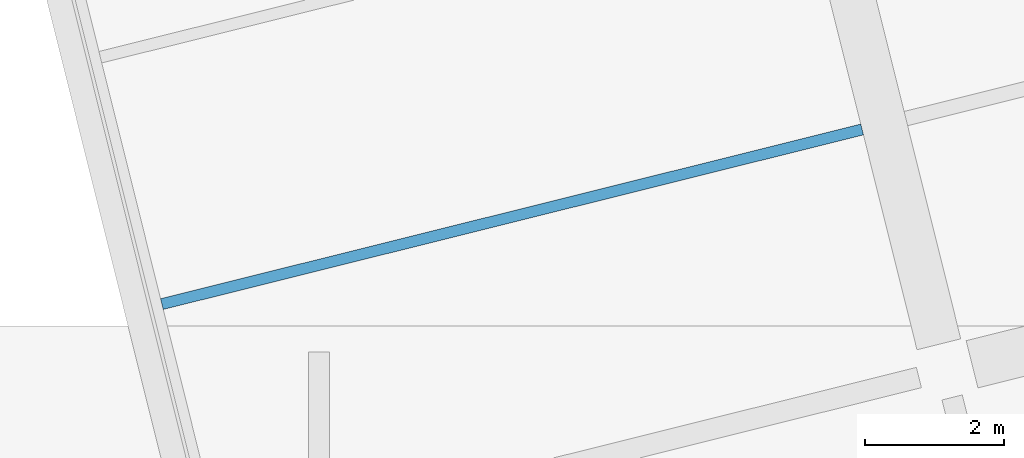
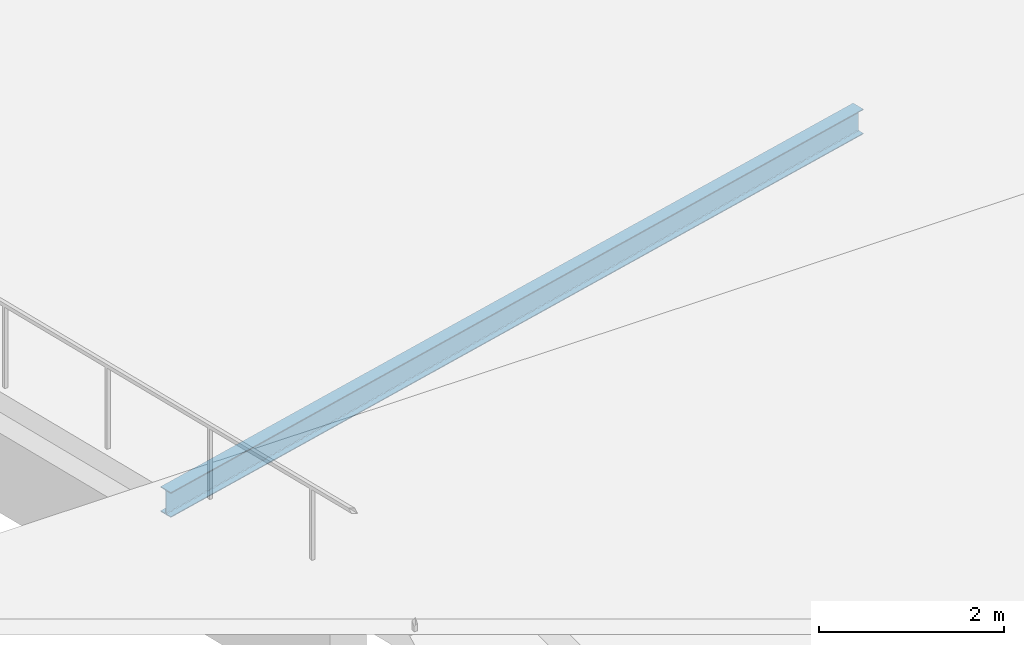
# One storey, part 71 of 137: 1 beam.
"""IFC4 building model written with IfcOpenShell, lengths in metres."""

from ifc_helpers import new_model, si_unit, direction, frame, origin, origin_2d, place, context, subcontext, project, spatial, i_section, extrude, material, material_profile, profile_set, type_object, element, save


model = new_model("IFC4")

# Units and contexts
model_context = context("Model", 3, precision=1e-05, world=origin(), true_north=direction((0.0, 1.0)))
body_context = subcontext(model_context, "Body", "Model", "MODEL_VIEW")
ifc_project = project(units=[si_unit("LENGTHUNIT", "METRE"), si_unit("AREAUNIT", "SQUARE_METRE"), si_unit("VOLUMEUNIT", "CUBIC_METRE"), si_unit("PLANEANGLEUNIT", "RADIAN"), si_unit("MASSUNIT", "GRAM", prefix="KILO")], contexts=[model_context])

# Site, building, storey
site_placement = place(None, origin())
site = spatial("IfcSite", under=ifc_project, at=site_placement, CompositionType="ELEMENT")
building_placement = place(site_placement, origin())
building = spatial("IfcBuilding", under=site, at=building_placement, Name="Khorjan Park Terminus", CompositionType="ELEMENT")
storey_placement = place(building_placement, frame((0.0, 0.0, 11.4)))
storey = spatial("IfcBuildingStorey", under=building, at=storey_placement, Name="L02", CompositionType="ELEMENT", Elevation=11.4)

# Beam
ifc_material = material(Name="Steel S355", Category="steel")
ifc_material_profile = material_profile(ifc_material, i_section(OverallWidth=0.16, OverallDepth=0.33, WebThickness=0.0075, FlangeThickness=0.0115, FilletRadius=0.018, at=origin_2d()), Name="IPE 330")
ifc_profile_set = profile_set([ifc_material_profile], Name="Steel S355")
beam_type = type_object("IfcBeamType", Name="JS-IPE330", PredefinedType="JOIST", material=ifc_profile_set)
beam_placement = place(storey_placement, frame((154.7352, 48.3173, -0.435), z_axis=(0.970295586552, 0.241922456002, 0.0), x_axis=(-0.241922456002, 0.970295586552, 0.0)))
element("IfcBeam", 1, at=beam_placement, inside=storey, type_object=beam_type, Name="Secondary composite floor joist SJ-33 (L02)", PredefinedType="JOIST", context=body_context, shape_type="SweptSolid", body=[
    extrude(i_section(OverallWidth=0.16, OverallDepth=0.33, WebThickness=0.0075, FlangeThickness=0.0115, FilletRadius=0.018, at=origin_2d()), origin(), (0.0, 0.0, 1.0), 10.4),
])

save(model, "model.ifc")
